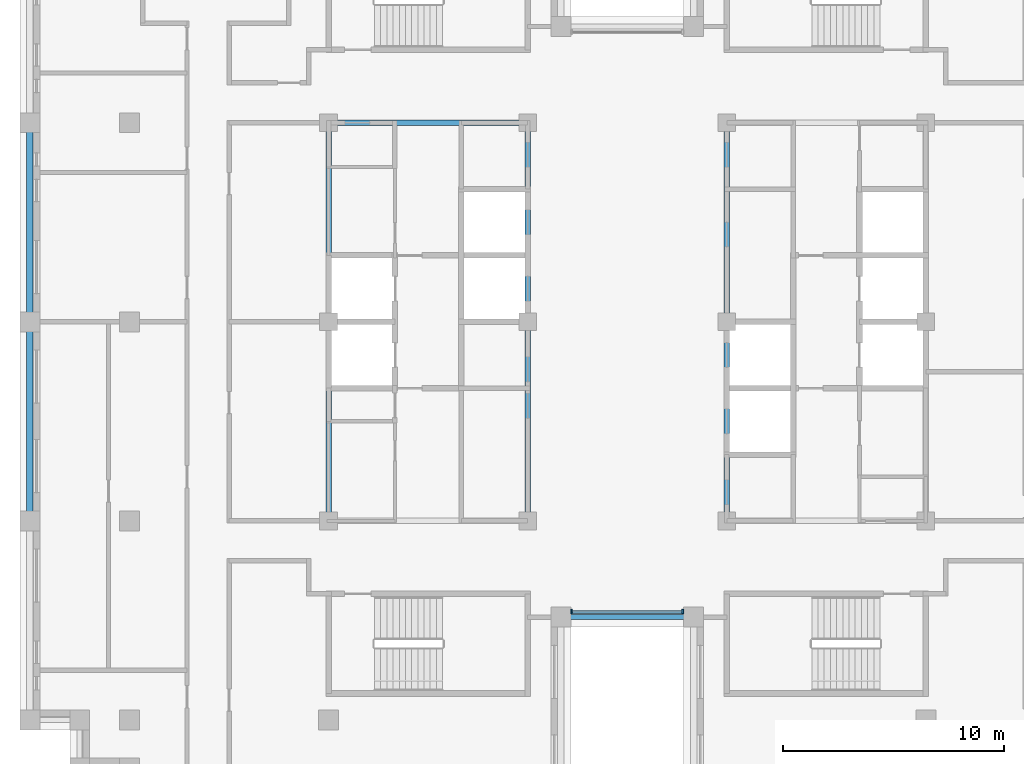
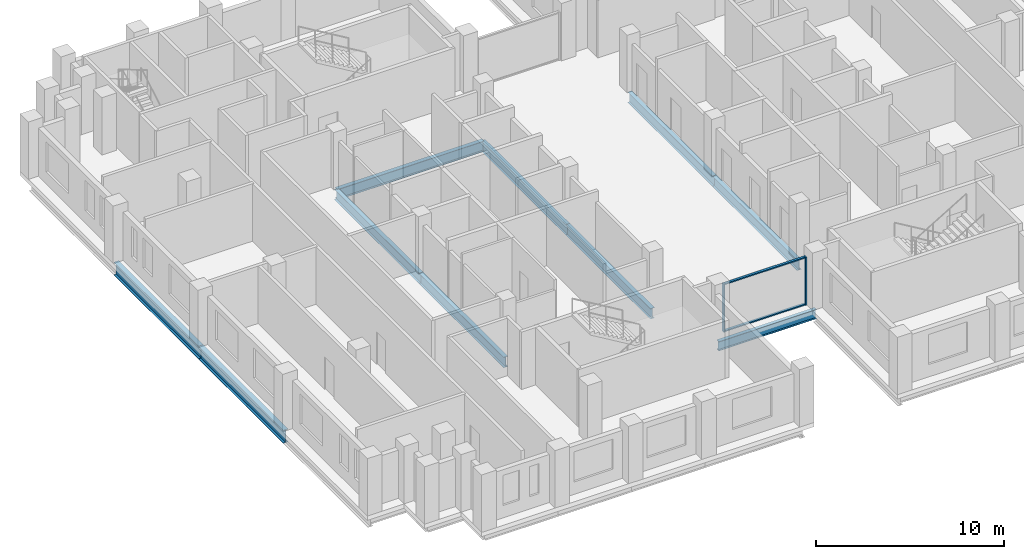
# One storey, part 2 of 13: 10 beams, 4 members, 1 element without a shape of its own.
"""IFC4 building model written with IfcOpenShell, lengths in metres."""

from ifc_helpers import new_model, si_unit, direction, frame, origin, origin_2d, place, context, subcontext, project, spatial, rectangle, i_section, extrude, material, layer, layer_set, material_profile, profile_set, type_object, element, aggregate, save


model = new_model("IFC4")

# Units and contexts
model_context = context("Model", 3, precision=1e-05, world=origin(), true_north=direction((0.0, 1.0)))
body_context = subcontext(model_context, "Body", "Model", "MODEL_VIEW")
ifc_project = project(units=[si_unit("LENGTHUNIT", "METRE"), si_unit("AREAUNIT", "SQUARE_METRE"), si_unit("VOLUMEUNIT", "CUBIC_METRE"), si_unit("PLANEANGLEUNIT", "RADIAN"), si_unit("MASSUNIT", "GRAM", prefix="KILO")], contexts=[model_context])

# Site, building, storey
site_placement = place(None, origin())
site = spatial("IfcSite", under=ifc_project, at=site_placement, CompositionType="ELEMENT")
building_placement = place(site_placement, origin())
building = spatial("IfcBuilding", under=site, at=building_placement, Name="Corbelhall Arena Tower", CompositionType="ELEMENT")
storey_placement = place(building_placement, frame((0.0, 0.0, 270.0)))
storey = spatial("IfcBuildingStorey", under=building, at=storey_placement, Name="L58", CompositionType="ELEMENT", Elevation=270.0)

# Curtain wall, members
ifc_material_1 = material(Name="Aluminium black anodised", Category="aluminium")
ifc_layer = layer(ifc_material_1, 0.199951171875)
ifc_layer_set = layer_set([ifc_layer], Name="EV-CW1 Slot back wall")
curtain_wall_type = type_object("IfcCurtainWallType", Name="EV-CW1 Slot back wall", PredefinedType="NOTDEFINED", material=ifc_layer_set)
curtain_wall_placement = place(storey_placement, origin())
curtain_wall = element("IfcCurtainWall", 1, at=curtain_wall_placement, inside=storey, type_object=curtain_wall_type, Name="Curtain wall CW1", PredefinedType="NOTDEFINED")
ifc_material_profile_1 = material_profile(ifc_material_1, rectangle(XDim=0.199951171875, YDim=0.074951171875, at=origin_2d()))
ifc_profile_set_1 = profile_set([ifc_material_profile_1], Name="Aluminium black anodised")
member_type_1 = type_object("IfcMemberType", Name="EV-CW1-MULLION", PredefinedType="MULLION", material=ifc_profile_set_1)
member_1_placement = place(storey_placement, frame((-2.512451171875, -13.10009765625, 0.0), z_axis=(0.0, 0.0, 1.0), x_axis=(0.0, 1.0, 0.0)))
member_1 = element("IfcMember", 2, at=member_1_placement, type_object=member_type_1, Name="CW1 mullion 1", PredefinedType="MULLION", context=body_context, shape_type="SweptSolid", body=[
    extrude(rectangle(XDim=0.199951171875, YDim=0.074951171875, at=origin_2d()), origin(), (0.0, 0.0, 1.0), 3.1201171875),
])
member_2_placement = place(storey_placement, frame((2.512451171875, -13.10009765625, 0.0), z_axis=(0.0, 0.0, 1.0), x_axis=(0.0, 1.0, 0.0)))
member_2 = element("IfcMember", 3, at=member_2_placement, type_object=member_type_1, Name="CW1 mullion 2", PredefinedType="MULLION", context=body_context, shape_type="SweptSolid", body=[
    extrude(rectangle(XDim=0.199951171875, YDim=0.074951171875, at=origin_2d()), origin(), (0.0, 0.0, 1.0), 3.1201171875),
])
ifc_material_profile_2 = material_profile(ifc_material_1, rectangle(XDim=0.14990234375, YDim=0.074951171875, at=origin_2d()))
ifc_profile_set_2 = profile_set([ifc_material_profile_2], Name="Aluminium black anodised")
member_type_2 = type_object("IfcMemberType", Name="EV-CW1-TRANSOM", PredefinedType="USERDEFINED", material=ifc_profile_set_2)
member_3_placement = place(storey_placement, frame((-2.47509765625, -13.10009765625, 0.03759765625), z_axis=(1.0, 0.0, 0.0), x_axis=(0.0, 1.0, 0.0)))
member_3 = element("IfcMember", 4, at=member_3_placement, type_object=member_type_2, Name="CW1 transom 1.1", ObjectType="transom", PredefinedType="USERDEFINED", context=body_context, shape_type="SweptSolid", body=[
    extrude(rectangle(XDim=0.14990234375, YDim=0.074951171875, at=origin_2d()), origin(), (0.0, 0.0, 1.0), 4.9501953125),
])
member_4_placement = place(storey_placement, frame((-2.47509765625, -13.10009765625, 3.08251953125), z_axis=(1.0, 0.0, 0.0), x_axis=(0.0, 1.0, 0.0)))
member_4 = element("IfcMember", 5, at=member_4_placement, type_object=member_type_2, Name="CW1 transom 1.2", ObjectType="transom", PredefinedType="USERDEFINED", context=body_context, shape_type="SweptSolid", body=[
    extrude(rectangle(XDim=0.14990234375, YDim=0.074951171875, at=origin_2d()), origin(), (0.0, 0.0, 1.0), 4.9501953125),
])
aggregate(curtain_wall, [member_1, member_2, member_3, member_4])

# Beams
ifc_material_2 = material(Name="Steel ASTM A992 Gr50", Category="steel")
ifc_material_profile_3 = material_profile(ifc_material_2, i_section(OverallWidth=0.25390625, OverallDepth=0.67822265625, WebThickness=0.01171875, FlangeThickness=0.016357421875, at=origin_2d()))
ifc_profile_set_3 = profile_set([ifc_material_profile_3], Name="Steel ASTM A992 Gr50")
beam_type_1 = type_object("IfcBeamType", Name="ST-BEAM-W27x84", PredefinedType="BEAM", material=ifc_profile_set_3)
for number, where, z_axis, x_axis, name in (
    (6, (-13.5, -9.0, -0.619140625), (0.0, 1.0, 0.0), (-1.0, 0.0, 0.0), "Beam CEW 1"),
    (7, (-13.5, 0.0, -0.619140625), (0.0, 1.0, 0.0), (-1.0, 0.0, 0.0), "Beam CEW 2"),
    (8, (-4.5, -9.0, -0.619140625), (0.0, 1.0, 0.0), (-1.0, 0.0, 0.0), "Beam CEW 3"),
    (9, (-4.5, 0.0, -0.619140625), (0.0, 1.0, 0.0), (-1.0, 0.0, 0.0), "Beam CEW 4"),
    (10, (-13.5, 9.0, -0.619140625), (1.0, 0.0, 0.0), (0.0, 1.0, 0.0), "Beam CEW 6"),
    (11, (4.5, -9.0, -0.619140625), (0.0, 1.0, 0.0), (-1.0, 0.0, 0.0), "Beam CEE 7"),
    (12, (4.5, 0.0, -0.619140625), (0.0, 1.0, 0.0), (-1.0, 0.0, 0.0), "Beam CEE 8"),
):
    element("IfcBeam", number, at=place(storey_placement, frame(where, z_axis=z_axis, x_axis=x_axis)), inside=storey, type_object=beam_type_1, Name=name, PredefinedType="BEAM", context=body_context, shape_type="SweptSolid", body=[
        extrude(i_section(OverallWidth=0.25390625, OverallDepth=0.67822265625, WebThickness=0.01171875, FlangeThickness=0.016357421875, at=origin_2d()), origin(), (0.0, 0.0, 1.0), 9.0),
    ])
ifc_material_profile_4 = material_profile(ifc_material_2, i_section(OverallWidth=0.227783203125, OverallDepth=0.60205078125, WebThickness=0.010498046875, FlangeThickness=0.014892578125, at=origin_2d()))
ifc_profile_set_4 = profile_set([ifc_material_profile_4], Name="Steel ASTM A992 Gr50")
beam_type_2 = type_object("IfcBeamType", Name="ST-SPANDREL-W24x68", PredefinedType="SPANDREL", material=ifc_profile_set_4)
beam_placement = place(storey_placement, frame((3.0, -13.35009765625, -0.5810546875), z_axis=(-1.0, 0.0, 0.0), x_axis=(0.0, -1.0, 0.0)))
element("IfcBeam", 13, at=beam_placement, inside=storey, type_object=beam_type_2, Name="Beam SP 33", PredefinedType="SPANDREL", context=body_context, shape_type="SweptSolid", body=[
    extrude(i_section(OverallWidth=0.227783203125, OverallDepth=0.60205078125, WebThickness=0.010498046875, FlangeThickness=0.014892578125, at=origin_2d()), origin(), (0.0, 0.0, 1.0), 6.0),
])
ifc_material_profile_5 = material_profile(ifc_material_2, i_section(OverallWidth=0.2919921875, OverallDepth=0.845703125, WebThickness=0.015380859375, FlangeThickness=0.0244140625, at=origin_2d()))
ifc_profile_set_5 = profile_set([ifc_material_profile_5], Name="Steel ASTM A992 Gr50")
beam_type_3 = type_object("IfcBeamType", Name="ST-SPANDREL-W33x141", PredefinedType="SPANDREL", material=ifc_profile_set_5)
for number, where, z_axis, x_axis, name in (
    (14, (-27.0, 0.0, -0.702880859375), (0.0, 1.0, 0.0), (-1.0, 0.0, 0.0), "Beam SP 26"),
    (15, (-27.0, -9.0, -0.702880859375), (0.0, 1.0, 0.0), (-1.0, 0.0, 0.0), "Beam SP 29"),
):
    element("IfcBeam", number, at=place(storey_placement, frame(where, z_axis=z_axis, x_axis=x_axis)), inside=storey, type_object=beam_type_3, Name=name, PredefinedType="SPANDREL", context=body_context, shape_type="SweptSolid", body=[
        extrude(i_section(OverallWidth=0.2919921875, OverallDepth=0.845703125, WebThickness=0.015380859375, FlangeThickness=0.0244140625, at=origin_2d()), origin(), (0.0, 0.0, 1.0), 9.0),
    ])

save(model, "model.ifc")
